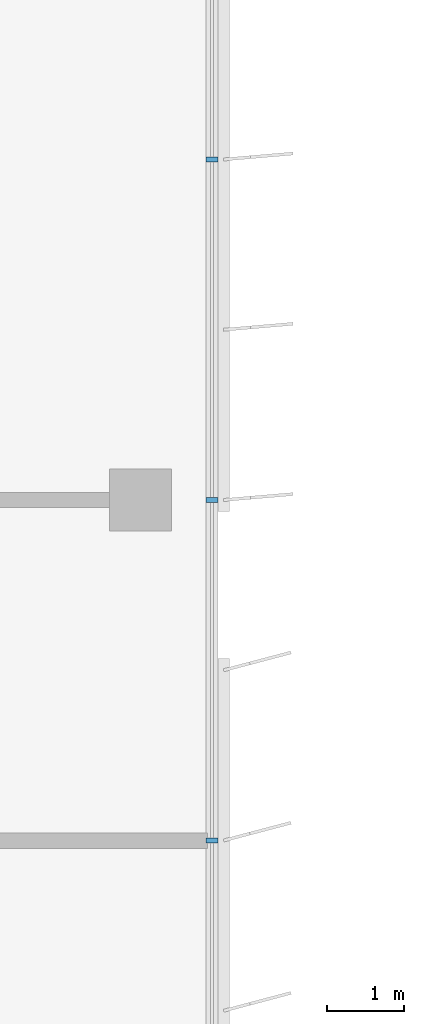
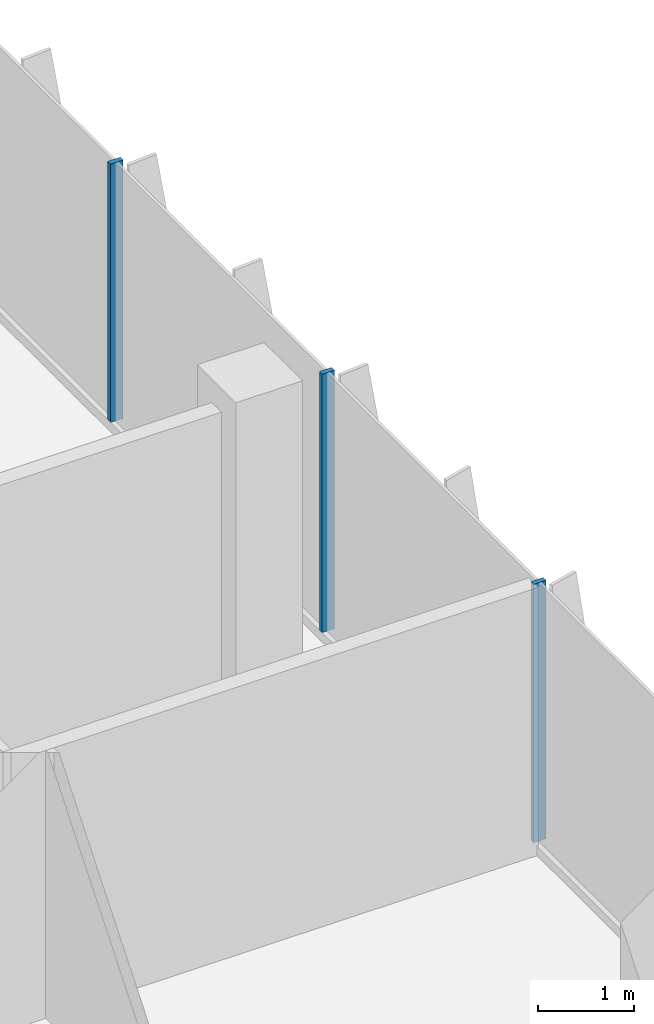
# One storey, part 4 of 15: 3 members, 1 element without a shape of its own.
"""IFC4 building model written with IfcOpenShell, lengths in metres."""

from ifc_helpers import new_model, si_unit, direction, frame, origin, origin_2d, place, context, subcontext, project, spatial, rectangle, extrude, source, transform, mapped, material, material_profile, profile_set, type_object, element, aggregate, save


model = new_model("IFC4")

# Units and contexts
model_context = context("Model", 3, precision=1e-05, world=origin(), true_north=direction((0.0, 1.0)))
body_context = subcontext(model_context, "Body", "Model", "MODEL_VIEW")
ifc_project = project(units=[si_unit("LENGTHUNIT", "METRE"), si_unit("AREAUNIT", "SQUARE_METRE"), si_unit("VOLUMEUNIT", "CUBIC_METRE"), si_unit("PLANEANGLEUNIT", "RADIAN"), si_unit("MASSUNIT", "GRAM", prefix="KILO")], contexts=[model_context])

# Site, building, storey
site_placement = place(None, origin())
site = spatial("IfcSite", under=ifc_project, at=site_placement, CompositionType="ELEMENT")
building_placement = place(site_placement, origin())
building = spatial("IfcBuilding", under=site, at=building_placement, Name="Kemantara Hotel Tower", CompositionType="ELEMENT")
storey_placement = place(building_placement, frame((0.0, 0.0, 233.89990234375)))
storey = spatial("IfcBuildingStorey", under=building, at=storey_placement, Name="L58", CompositionType="ELEMENT", Elevation=233.89990234375)

# Curtain wall, members
ifc_material_1 = material(Name="Low-E tinted double insulated glass 36 mm", Category="glass")
curtain_wall_type = type_object("IfcCurtainWallType", Name="TOWER CURTAIN WALL, FRONT FACES", PredefinedType="USERDEFINED", material=ifc_material_1)
curtain_wall_placement = place(storey_placement, origin())
curtain_wall = element("IfcCurtainWall", 1, at=curtain_wall_placement, inside=storey, type_object=curtain_wall_type, Name="CW4 L58 T4-R15-1", ObjectType="TOWER CURTAIN WALL, FRONT FACES", PredefinedType="USERDEFINED")
ifc_material_2 = material(Name="Aluminium 6063-T6 bronze anodised", Category="aluminium")
ifc_material_profile = material_profile(ifc_material_2, rectangle(XDim=0.14990234375, YDim=0.06005859375, at=origin_2d()), Name="TOWER CURTAIN WALL, FRONT FACES MULLION")
ifc_profile_set = profile_set([ifc_material_profile], Name="Aluminium 6063-T6 bronze anodised")
member_type = type_object("IfcMemberType", Name="TOWER CURTAIN WALL, FRONT FACES MULLION", PredefinedType="MULLION", material=ifc_profile_set)
shared_shape = source(origin(), body_context, "Body", "SweptSolid", [
    extrude(rectangle(XDim=0.14990234375, YDim=0.06005859375, at=origin_2d()), origin(), (0.0, 0.0, 1.0), 3.280029296875),
])
member_1_placement = place(storey_placement, frame((21.925048828125, 31.800048828125, 0.1201171875), z_axis=(0.0, 0.0, 1.0), x_axis=(-1.0, 0.0, 0.0)))
member_1 = element("IfcMember", 2, at=member_1_placement, type_object=member_type, Name="CW4 mullion T4-R15-1.3", PredefinedType="MULLION", context=body_context, shape_type="MappedRepresentation", body=[
    mapped(shared_shape, transform((0.0, 0.0, 0.0))),
])
member_2_placement = place(storey_placement, frame((21.925048828125, 36.199951171875, 0.1201171875), z_axis=(0.0, 0.0, 1.0), x_axis=(-1.0, 0.0, 0.0)))
member_2 = element("IfcMember", 3, at=member_2_placement, type_object=member_type, Name="CW4 mullion T4-R15-1.4", PredefinedType="MULLION", context=body_context, shape_type="MappedRepresentation", body=[
    mapped(shared_shape, transform((0.0, 0.0, 0.0))),
])
member_3_placement = place(storey_placement, frame((21.925048828125, 40.60009765625, 0.1201171875), z_axis=(0.0, 0.0, 1.0), x_axis=(-1.0, 0.0, 0.0)))
member_3 = element("IfcMember", 4, at=member_3_placement, type_object=member_type, Name="CW4 mullion T4-R15-1.5", PredefinedType="MULLION", context=body_context, shape_type="MappedRepresentation", body=[
    mapped(shared_shape, transform((0.0, 0.0, 0.0))),
])
aggregate(curtain_wall, [member_1, member_2, member_3])

save(model, "model.ifc")
